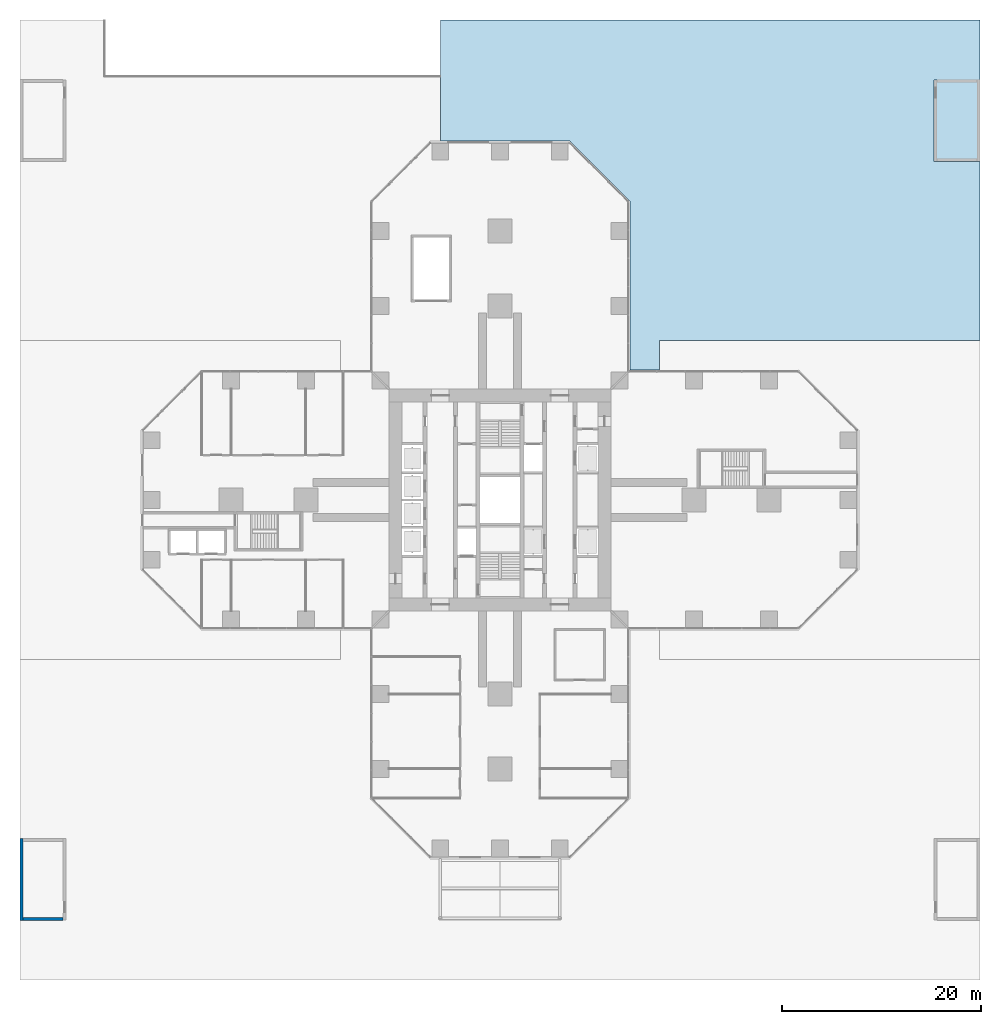
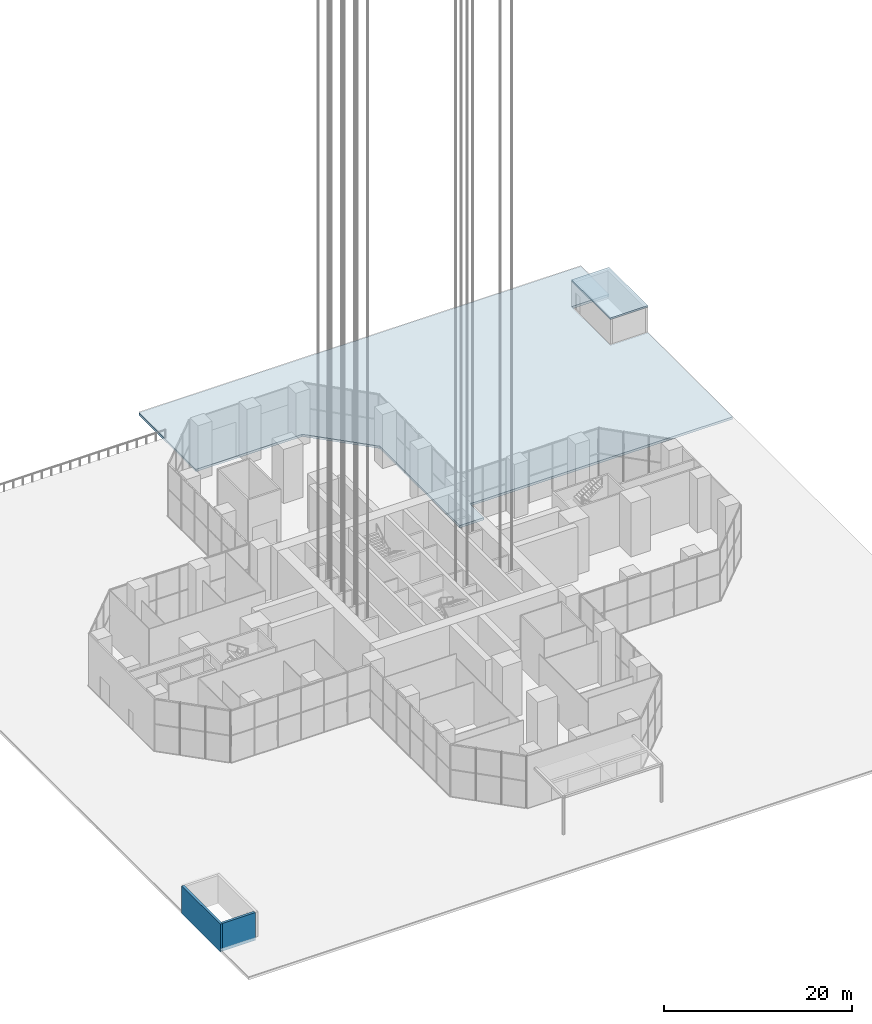
# One storey, part 16 of 43: 2 slabs, 2 walls.
"""IFC4 building model written with IfcOpenShell, lengths in metres."""

from ifc_helpers import new_model, si_unit, direction, frame, frame_2d, origin, place, context, subcontext, project, spatial, polyline, rectangle, outline, extrude, material, layer, layer_set, type_object, element, save


model = new_model("IFC4")

# Units and contexts
model_context = context("Model", 3, precision=1e-05, world=origin(), true_north=direction((0.0, 1.0)))
body_context = subcontext(model_context, "Body", "Model", "MODEL_VIEW")
ifc_project = project(units=[si_unit("LENGTHUNIT", "METRE"), si_unit("AREAUNIT", "SQUARE_METRE"), si_unit("VOLUMEUNIT", "CUBIC_METRE"), si_unit("PLANEANGLEUNIT", "RADIAN"), si_unit("MASSUNIT", "GRAM", prefix="KILO")], contexts=[model_context])

# Site, building, storey
site_placement = place(None, origin())
site = spatial("IfcSite", under=ifc_project, at=site_placement, CompositionType="ELEMENT")
building_placement = place(site_placement, origin())
building = spatial("IfcBuilding", under=site, at=building_placement, Name="Mizan Broadcast Tower", CompositionType="ELEMENT")
storey_placement = place(building_placement, origin())
storey = spatial("IfcBuildingStorey", under=building, at=storey_placement, Name="L00", CompositionType="ELEMENT", Elevation=0.0)

# Slabs
ifc_material_1 = material(Name="Concrete C40/50", Category="concrete")
ifc_layer_1 = layer(ifc_material_1, 0.300048828125)
ifc_layer_set_1 = layer_set([ifc_layer_1], Name="Concrete C40/50")
slab_type_1 = type_object("IfcSlabType", Name="RC PLAZA DECK 300", PredefinedType="FLOOR", material=ifc_layer_set_1)
slab_1_placement = place(storey_placement, frame((0.0, 0.0, -0.39990234375)))
element("IfcSlab", 1, at=slab_1_placement, inside=storey, type_object=slab_type_1, Name="Plaza deck slab north bay east of the ramp head", PredefinedType="FLOOR", context=body_context, shape_type="SweptSolid", body=[
    extrude(outline(polyline([(48.199951171875, 42.199951171875), (48.199951171875, 48.199951171875), (-6.0, 48.199951171875), (-6.0, 42.64990234375), (-6.0, 36.050048828125), (7.020751953125, 36.050048828125), (13.050048828125, 30.020751953125), (13.050048828125, 13.050048828125), (16.0, 13.050048828125), (16.0, 16.0), (48.199951171875, 16.0), (48.199951171875, 34.0), (43.60009765625, 34.0), (43.60009765625, 42.199951171875), (48.199951171875, 42.199951171875)])), origin(), (0.0, 0.0, 1.0), 0.2998046875),
])
ifc_material_2 = material(Name="Concrete C32/40", Category="concrete")
ifc_layer_2 = layer(ifc_material_2, 0.199951171875)
ifc_layer_set_2 = layer_set([ifc_layer_2], Name="Concrete C32/40")
slab_type_2 = type_object("IfcSlabType", Name="STAIR HEAD-HOUSE ROOF 200", PredefinedType="ROOF", material=ifc_layer_set_2)
slab_2_placement = place(storey_placement, frame((0.0, 0.0, 3.199951171875)))
element("IfcSlab", 2, at=slab_2_placement, inside=storey, type_object=slab_type_2, Name="Stair E head-house roof", PredefinedType="ROOF", context=body_context, shape_type="SweptSolid", body=[
    extrude(outline(polyline([(43.60009765625, 34.0), (48.199951171875, 34.0), (48.199951171875, 42.199951171875), (43.60009765625, 42.199951171875), (43.60009765625, 34.0)])), origin(), (0.0, 0.0, 1.0), 0.199951171875),
])

# Walls
ifc_material_3 = material(Name="Concrete C40/50", Category="concrete")
ifc_layer_3 = layer(ifc_material_3, 0.300048828125)
ifc_layer_set_3 = layer_set([ifc_layer_3], Name="Concrete C40/50")
wall_type = type_object("IfcWallType", Name="STAIR SHAFT WALL 300 RC", PredefinedType="SOLIDWALL", material=ifc_layer_set_3)
wall_1_placement = place(storey_placement, frame((-48.050048828125, -34.0, -0.39990234375), z_axis=(0.0, 0.0, 1.0), x_axis=(0.0, -1.0, 0.0)))
element("IfcWall", 3, at=wall_1_placement, inside=storey, type_object=wall_type, Name="Stair shaft wall G O", PredefinedType="SOLIDWALL", context=body_context, shape_type="SweptSolid", body=[
    extrude(rectangle(XDim=8.199951171875, YDim=0.300048828125, at=frame_2d((4.10009765625, 0.0))), origin(), (0.0, 0.0, 1.0), 3.599853515625),
])
wall_2_placement = place(storey_placement, frame((-43.89990234375, -42.050048828125, -0.39990234375), z_axis=(0.0, 0.0, 1.0), x_axis=(-1.0, 0.0, 0.0)))
element("IfcWall", 4, at=wall_2_placement, inside=storey, type_object=wall_type, Name="Stair shaft wall G D", PredefinedType="SOLIDWALL", context=body_context, shape_type="SweptSolid", body=[
    extrude(rectangle(XDim=4.0, YDim=0.300048828125, at=frame_2d((2.0, 0.0))), origin(), (0.0, 0.0, 1.0), 3.599853515625),
])

save(model, "model.ifc")
